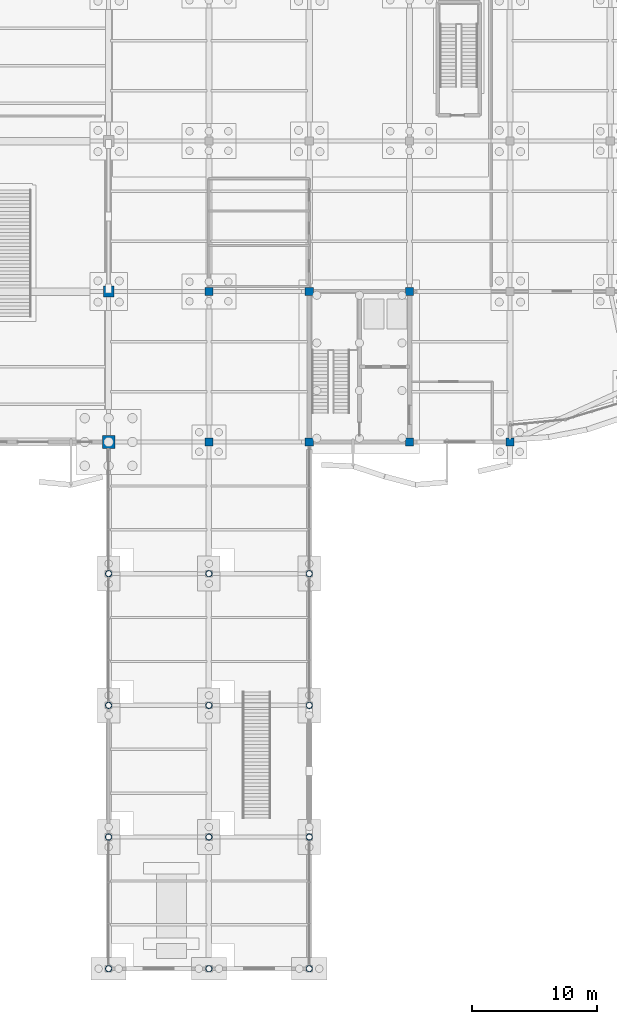
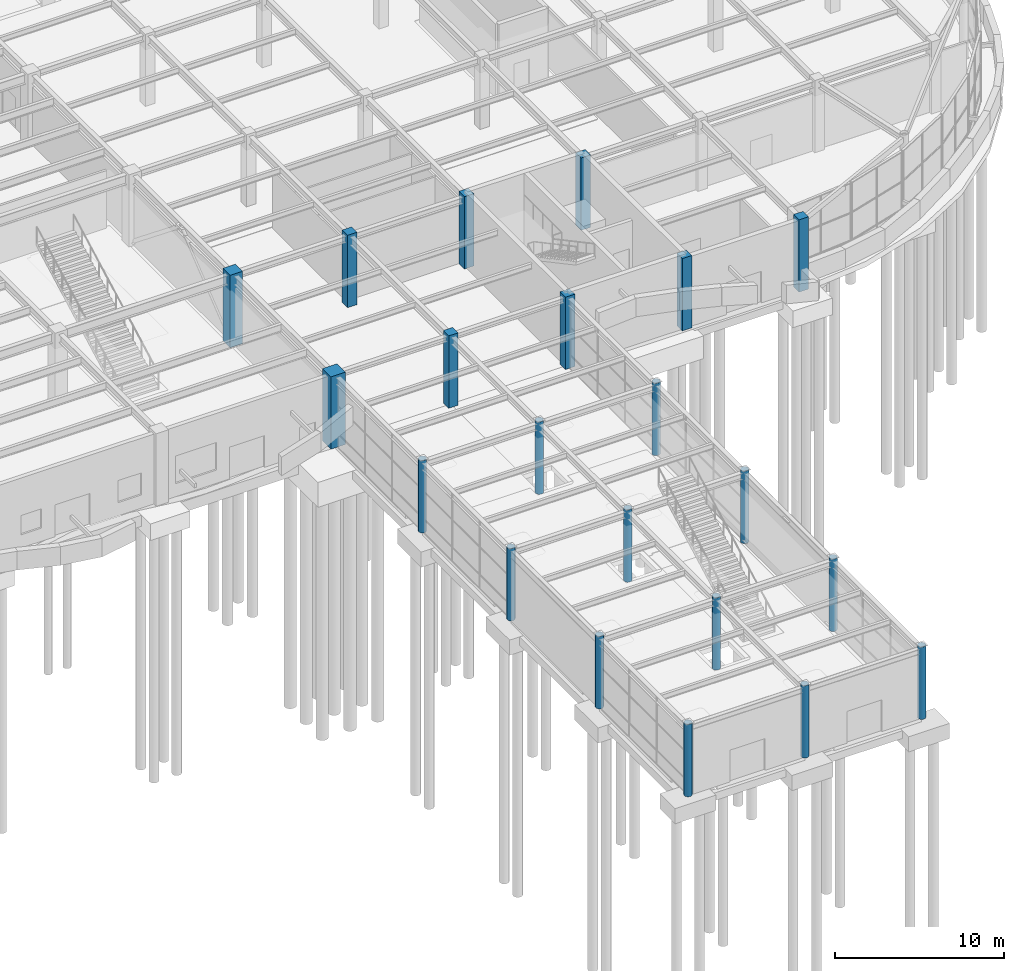
# One storey, part 20 of 85: 21 columns.
"""IFC4 building model written with IfcOpenShell, lengths in metres."""

from ifc_helpers import new_model, si_unit, direction, frame, origin, origin_2d, place, context, subcontext, project, spatial, rectangle, hollow_circle, extrude, material, material_profile, profile_set, type_object, element, save


model = new_model("IFC4")

# Units and contexts
model_context = context("Model", 3, precision=1e-05, world=origin(), true_north=direction((0.0, 1.0)))
body_context = subcontext(model_context, "Body", "Model", "MODEL_VIEW")
ifc_project = project(units=[si_unit("LENGTHUNIT", "METRE"), si_unit("AREAUNIT", "SQUARE_METRE"), si_unit("VOLUMEUNIT", "CUBIC_METRE"), si_unit("PLANEANGLEUNIT", "RADIAN"), si_unit("MASSUNIT", "GRAM", prefix="KILO")], contexts=[model_context])

# Site, building, storey
site_placement = place(None, origin())
site = spatial("IfcSite", under=ifc_project, at=site_placement, CompositionType="ELEMENT")
building_placement = place(site_placement, origin())
building = spatial("IfcBuilding", under=site, at=building_placement, Name="Keelwater Ferry Terminal", CompositionType="ELEMENT")
storey_placement = place(building_placement, origin())
storey = spatial("IfcBuildingStorey", under=building, at=storey_placement, Name="L00", CompositionType="ELEMENT", Elevation=0.0)

# Columns
ifc_material_1 = material(Name="Concrete C50/60", Category="concrete")
ifc_material_profile_1 = material_profile(ifc_material_1, rectangle(XDim=0.85009765625, YDim=0.85009765625, at=origin_2d()), Name="RC 850x850")
ifc_profile_set_1 = profile_set([ifc_material_profile_1], Name="Concrete C50/60")
column_type_1 = type_object("IfcColumnType", Name="C1 RC 850x850", PredefinedType="COLUMN", material=ifc_profile_set_1)
column_1_placement = place(storey_placement, frame((132.0, 54.0, 0.0), z_axis=(0.0, 0.0, 1.0), x_axis=(1.0, 0.0, 0.0)))
element("IfcColumn", 1, at=column_1_placement, inside=storey, type_object=column_type_1, Name="Column CL-L00-0242", PredefinedType="COLUMN", context=body_context, shape_type="SweptSolid", body=[
    extrude(rectangle(XDim=0.85009765625, YDim=0.85009765625, at=origin_2d()), origin(), (0.0, 0.0, 1.0), 5.239990234375),
])
ifc_material_2 = material(Name="Concrete C45/55", Category="concrete")
ifc_material_profile_2 = material_profile(ifc_material_2, rectangle(XDim=0.64990234375, YDim=0.64990234375, at=origin_2d()), Name="RC 650x650")
ifc_profile_set_2 = profile_set([ifc_material_profile_2], Name="Concrete C45/55")
column_type_2 = type_object("IfcColumnType", Name="C3 RC 650x650", PredefinedType="COLUMN", material=ifc_profile_set_2)
for number, where, z_axis, x_axis, name in (
    (2, (140.0, 42.0, 0.0), (0.0, 0.0, 1.0), (1.0, 0.0, 0.0), "Column CL-L00-0291"),
    (3, (140.0, 54.0, 0.0), (0.0, 0.0, 1.0), (1.0, 0.0, 0.0), "Column CL-L00-0294"),
    (4, (148.0, 42.0, 0.0), (0.0, 0.0, 1.0), (1.0, 0.0, 0.0), "Column CL-L00-0338"),
    (5, (148.0, 54.0, 0.0), (0.0, 0.0, 1.0), (1.0, 0.0, 0.0), "Column CL-L00-0341"),
    (6, (156.0, 42.0, 0.0), (0.0, 0.0, 1.0), (1.0, 0.0, 0.0), "Column CL-L00-0377"),
    (7, (156.0, 54.0, 0.0), (0.0, 0.0, 1.0), (1.0, 0.0, 0.0), "Column CL-L00-0380"),
    (8, (164.0, 42.0, 0.0), (0.0, 0.0, 1.0), (1.0, 0.0, 0.0), "Column CL-L00-0416"),
):
    element("IfcColumn", number, at=place(storey_placement, frame(where, z_axis=z_axis, x_axis=x_axis)), inside=storey, type_object=column_type_2, Name=name, PredefinedType="COLUMN", context=body_context, shape_type="SweptSolid", body=[
        extrude(rectangle(XDim=0.64990234375, YDim=0.64990234375, at=origin_2d()), origin(), (0.0, 0.0, 1.0), 5.239990234375),
    ])
ifc_material_3 = material(Name="Steel S355", Category="steel")
ifc_material_profile_3 = material_profile(ifc_material_3, hollow_circle(Radius=0.25390625, WallThickness=0.02001953125, at=origin_2d()), Name="CHS 508x20")
ifc_profile_set_3 = profile_set([ifc_material_profile_3], Name="Steel S355")
column_type_3 = type_object("IfcColumnType", Name="C8E CHS 508x20", PredefinedType="COLUMN", material=ifc_profile_set_3)
for number, where, z_axis, x_axis, name in (
    (9, (132.0, 0.0, 0.0), (0.0, 0.0, 1.0), (1.0, 0.0, 0.0), "Column CL-L00-0231"),
    (10, (132.0, 10.5, 0.0), (0.0, 0.0, 1.0), (1.0, 0.0, 0.0), "Column CL-L00-0233"),
    (11, (132.0, 21.0, 0.0), (0.0, 0.0, 1.0), (1.0, 0.0, 0.0), "Column CL-L00-0235"),
    (12, (132.0, 31.5, 0.0), (0.0, 0.0, 1.0), (1.0, 0.0, 0.0), "Column CL-L00-0237"),
    (13, (140.0, 0.0, 0.0), (0.0, 0.0, 1.0), (1.0, 0.0, 0.0), "Column CL-L00-0283"),
    (14, (140.0, 10.5, 0.0), (0.0, 0.0, 1.0), (1.0, 0.0, 0.0), "Column CL-L00-0285"),
    (15, (140.0, 21.0, 0.0), (0.0, 0.0, 1.0), (1.0, 0.0, 0.0), "Column CL-L00-0287"),
    (16, (140.0, 31.5, 0.0), (0.0, 0.0, 1.0), (1.0, 0.0, 0.0), "Column CL-L00-0289"),
    (17, (148.0, 0.0, 0.0), (0.0, 0.0, 1.0), (1.0, 0.0, 0.0), "Column CL-L00-0330"),
    (18, (148.0, 10.5, 0.0), (0.0, 0.0, 1.0), (1.0, 0.0, 0.0), "Column CL-L00-0332"),
    (19, (148.0, 21.0, 0.0), (0.0, 0.0, 1.0), (1.0, 0.0, 0.0), "Column CL-L00-0334"),
    (20, (148.0, 31.5, 0.0), (0.0, 0.0, 1.0), (1.0, 0.0, 0.0), "Column CL-L00-0336"),
):
    element("IfcColumn", number, at=place(storey_placement, frame(where, z_axis=z_axis, x_axis=x_axis)), inside=storey, type_object=column_type_3, Name=name, PredefinedType="COLUMN", context=body_context, shape_type="SweptSolid", body=[
        extrude(hollow_circle(Radius=0.25390625, WallThickness=0.02001953125, at=origin_2d()), origin(), (0.0, 0.0, 1.0), 5.239990234375),
    ])
ifc_material_4 = material(Name="Concrete C50/60", Category="concrete")
ifc_material_profile_4 = material_profile(ifc_material_4, rectangle(XDim=1.0, YDim=1.0, at=origin_2d()), Name="RC 1000x1000")
ifc_profile_set_4 = profile_set([ifc_material_profile_4], Name="Concrete C50/60")
column_type_4 = type_object("IfcColumnType", Name="MC1 RC 1000x1000", PredefinedType="COLUMN", material=ifc_profile_set_4)
column_2_placement = place(storey_placement, frame((132.0, 42.0, 0.0), z_axis=(0.0, 0.0, 1.0), x_axis=(1.0, 0.0, 0.0)))
element("IfcColumn", 21, at=column_2_placement, inside=storey, type_object=column_type_4, Name="Column CL-L00-0239", PredefinedType="COLUMN", context=body_context, shape_type="SweptSolid", body=[
    extrude(rectangle(XDim=1.0, YDim=1.0, at=origin_2d()), origin(), (0.0, 0.0, 1.0), 5.239990234375),
])

save(model, "model.ifc")
